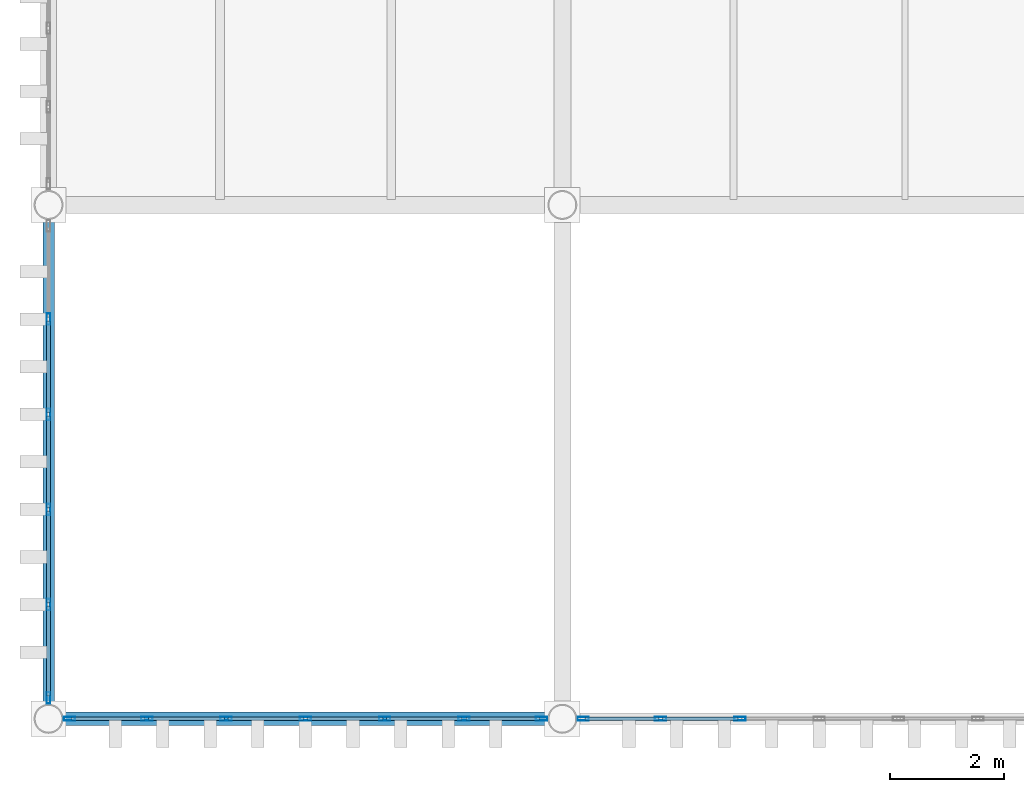
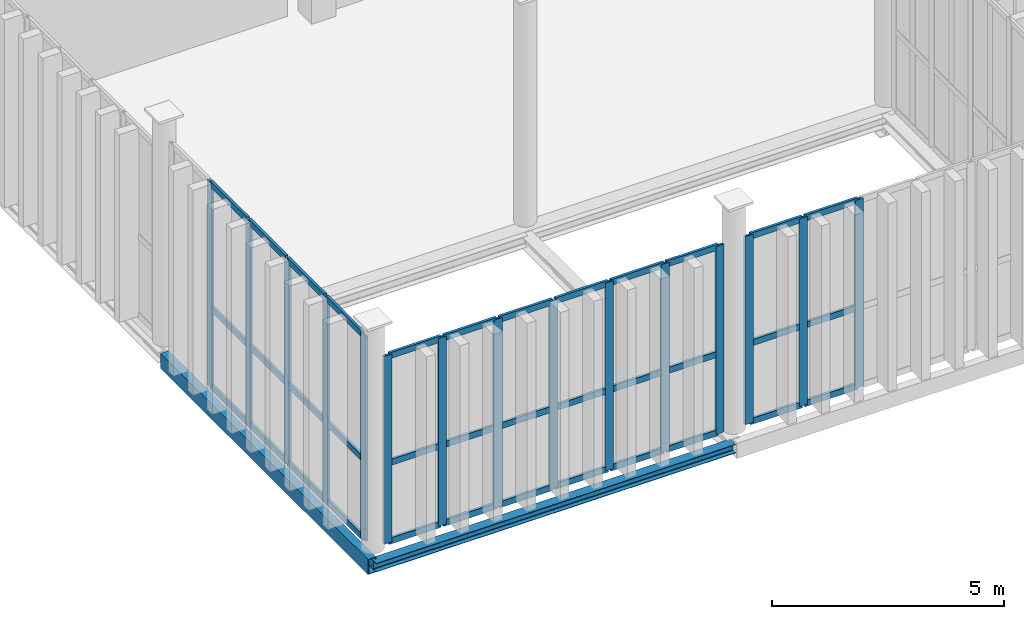
# One storey, part 26 of 211: 51 members, 2 beams, 3 elements without a shape of their own.
"""IFC4 building model written with IfcOpenShell, lengths in metres."""

from ifc_helpers import new_model, si_unit, direction, frame, origin, origin_2d, place, context, subcontext, project, spatial, hollow_rectangle, i_section, extrude, material, layer, layer_set, material_profile, profile_set, type_object, element, aggregate, save


model = new_model("IFC4")

# Units and contexts
model_context = context("Model", 3, precision=1e-05, world=origin(), true_north=direction((0.0, 1.0)))
body_context = subcontext(model_context, "Body", "Model", "MODEL_VIEW")
ifc_project = project(units=[si_unit("LENGTHUNIT", "METRE"), si_unit("AREAUNIT", "SQUARE_METRE"), si_unit("VOLUMEUNIT", "CUBIC_METRE"), si_unit("PLANEANGLEUNIT", "RADIAN"), si_unit("MASSUNIT", "GRAM", prefix="KILO")], contexts=[model_context])

# Site, building, storey
site_placement = place(None, origin())
site = spatial("IfcSite", under=ifc_project, at=site_placement, CompositionType="ELEMENT")
building_placement = place(site_placement, origin())
building = spatial("IfcBuilding", under=site, at=building_placement, Name="Barlavento Convention Centre", CompositionType="ELEMENT")
storey_placement = place(building_placement, frame((0.0, 0.0, 6.0)))
storey = spatial("IfcBuildingStorey", under=building, at=storey_placement, Name="L01", CompositionType="ELEMENT", Elevation=6.0)

# Curtain wall, members
ifc_material_1 = material(Name="Powder-coated aluminium and Low-E glass", Category="aluminium")
ifc_layer = layer(ifc_material_1, 0.18505859375)
ifc_layer_set = layer_set([ifc_layer], Name="ARC-CW-CONG-L01")
curtain_wall_type = type_object("IfcCurtainWallType", Name="ARC-CW-CONG-L01", PredefinedType="NOTDEFINED", material=ifc_layer_set)
curtain_wall_1_placement = place(storey_placement, origin())
curtain_wall_1 = element("IfcCurtainWall", 1, at=curtain_wall_1_placement, inside=storey, type_object=curtain_wall_type, Name="L01 unitised curtain wall CW01", PredefinedType="NOTDEFINED")
ifc_material_2 = material(Name="Powder-coated aluminium", Category="aluminium")
ifc_material_profile_1 = material_profile(ifc_material_2, hollow_rectangle(XDim=0.06494140625, YDim=0.199951171875, WallThickness=0.0048828125, at=origin_2d()), Name="AL-MULL 65x200x5")
ifc_profile_set_1 = profile_set([ifc_material_profile_1], Name="Powder-coated aluminium")
member_type_1 = type_object("IfcMemberType", Name="ARC-CWM-65X200", PredefinedType="MULLION", material=ifc_profile_set_1)
member_1_placement = place(storey_placement, frame((0.366455078125, 0.0, 0.0), z_axis=(0.0, 0.0, 1.0), x_axis=(0.0, 1.0, 0.0)))
member_1 = element("IfcMember", 2, at=member_1_placement, type_object=member_type_1, Name="CW01 mullion 1", PredefinedType="MULLION", context=body_context, shape_type="SweptSolid", body=[
    extrude(hollow_rectangle(XDim=0.06494140625, YDim=0.199951171875, WallThickness=0.0048828125, at=origin_2d()), origin(), (0.0, 0.0, 1.0), 4.949951171875),
])
member_2_placement = place(storey_placement, frame((1.72265625, 0.0, 0.0), z_axis=(0.0, 0.0, 1.0), x_axis=(0.0, 1.0, 0.0)))
member_2 = element("IfcMember", 3, at=member_2_placement, type_object=member_type_1, Name="CW01 mullion 2", PredefinedType="MULLION", context=body_context, shape_type="SweptSolid", body=[
    extrude(hollow_rectangle(XDim=0.06494140625, YDim=0.199951171875, WallThickness=0.0048828125, at=origin_2d()), origin(), (0.0, 0.0, 1.0), 4.949951171875),
])
member_3_placement = place(storey_placement, frame((3.111328125, 0.0, 0.0), z_axis=(0.0, 0.0, 1.0), x_axis=(0.0, 1.0, 0.0)))
member_3 = element("IfcMember", 4, at=member_3_placement, type_object=member_type_1, Name="CW01 mullion 3", PredefinedType="MULLION", context=body_context, shape_type="SweptSolid", body=[
    extrude(hollow_rectangle(XDim=0.06494140625, YDim=0.199951171875, WallThickness=0.0048828125, at=origin_2d()), origin(), (0.0, 0.0, 1.0), 4.949951171875),
])
member_4_placement = place(storey_placement, frame((4.5, 0.0, 0.0), z_axis=(0.0, 0.0, 1.0), x_axis=(0.0, 1.0, 0.0)))
member_4 = element("IfcMember", 5, at=member_4_placement, type_object=member_type_1, Name="CW01 mullion 4", PredefinedType="MULLION", context=body_context, shape_type="SweptSolid", body=[
    extrude(hollow_rectangle(XDim=0.06494140625, YDim=0.199951171875, WallThickness=0.0048828125, at=origin_2d()), origin(), (0.0, 0.0, 1.0), 4.949951171875),
])
member_5_placement = place(storey_placement, frame((5.888671875, 0.0, 0.0), z_axis=(0.0, 0.0, 1.0), x_axis=(0.0, 1.0, 0.0)))
member_5 = element("IfcMember", 6, at=member_5_placement, type_object=member_type_1, Name="CW01 mullion 5", PredefinedType="MULLION", context=body_context, shape_type="SweptSolid", body=[
    extrude(hollow_rectangle(XDim=0.06494140625, YDim=0.199951171875, WallThickness=0.0048828125, at=origin_2d()), origin(), (0.0, 0.0, 1.0), 4.949951171875),
])
member_6_placement = place(storey_placement, frame((7.27734375, 0.0, 0.0), z_axis=(0.0, 0.0, 1.0), x_axis=(0.0, 1.0, 0.0)))
member_6 = element("IfcMember", 7, at=member_6_placement, type_object=member_type_1, Name="CW01 mullion 6", PredefinedType="MULLION", context=body_context, shape_type="SweptSolid", body=[
    extrude(hollow_rectangle(XDim=0.06494140625, YDim=0.199951171875, WallThickness=0.0048828125, at=origin_2d()), origin(), (0.0, 0.0, 1.0), 4.949951171875),
])
member_7_placement = place(storey_placement, frame((8.633544921875, 0.0, 0.0), z_axis=(0.0, 0.0, 1.0), x_axis=(0.0, 1.0, 0.0)))
member_7 = element("IfcMember", 8, at=member_7_placement, type_object=member_type_1, Name="CW01 mullion 7", PredefinedType="MULLION", context=body_context, shape_type="SweptSolid", body=[
    extrude(hollow_rectangle(XDim=0.06494140625, YDim=0.199951171875, WallThickness=0.0048828125, at=origin_2d()), origin(), (0.0, 0.0, 1.0), 4.949951171875),
])

curtain_wall_2_placement = place(storey_placement, origin())
curtain_wall_2 = element("IfcCurtainWall", 9, at=curtain_wall_2_placement, inside=storey, type_object=curtain_wall_type, Name="L01 unitised curtain wall CW01", PredefinedType="NOTDEFINED")
member_8_placement = place(storey_placement, frame((9.366455078125, 0.0, 0.0), z_axis=(0.0, 0.0, 1.0), x_axis=(0.0, 1.0, 0.0)))
member_8 = element("IfcMember", 10, at=member_8_placement, type_object=member_type_1, Name="CW01 mullion 1", PredefinedType="MULLION", context=body_context, shape_type="SweptSolid", body=[
    extrude(hollow_rectangle(XDim=0.06494140625, YDim=0.199951171875, WallThickness=0.0048828125, at=origin_2d()), origin(), (0.0, 0.0, 1.0), 4.949951171875),
])
member_9_placement = place(storey_placement, frame((10.72265625, 0.0, 0.0), z_axis=(0.0, 0.0, 1.0), x_axis=(0.0, 1.0, 0.0)))
member_9 = element("IfcMember", 11, at=member_9_placement, type_object=member_type_1, Name="CW01 mullion 2", PredefinedType="MULLION", context=body_context, shape_type="SweptSolid", body=[
    extrude(hollow_rectangle(XDim=0.06494140625, YDim=0.199951171875, WallThickness=0.0048828125, at=origin_2d()), origin(), (0.0, 0.0, 1.0), 4.949951171875),
])
member_10_placement = place(storey_placement, frame((12.111328125, 0.0, 0.0), z_axis=(0.0, 0.0, 1.0), x_axis=(0.0, 1.0, 0.0)))
member_10 = element("IfcMember", 12, at=member_10_placement, type_object=member_type_1, Name="CW01 mullion 3", PredefinedType="MULLION", context=body_context, shape_type="SweptSolid", body=[
    extrude(hollow_rectangle(XDim=0.06494140625, YDim=0.199951171875, WallThickness=0.0048828125, at=origin_2d()), origin(), (0.0, 0.0, 1.0), 4.949951171875),
])

curtain_wall_3_placement = place(storey_placement, origin())
curtain_wall_3 = element("IfcCurtainWall", 13, at=curtain_wall_3_placement, inside=storey, type_object=curtain_wall_type, Name="L01 unitised curtain wall CW01", PredefinedType="NOTDEFINED")
member_11_placement = place(storey_placement, frame((0.0, 0.366455078125, 0.0), z_axis=(0.0, 0.0, 1.0), x_axis=(-1.0, 0.0, 0.0)))
member_11 = element("IfcMember", 14, at=member_11_placement, type_object=member_type_1, Name="CW01 mullion 1", PredefinedType="MULLION", context=body_context, shape_type="SweptSolid", body=[
    extrude(hollow_rectangle(XDim=0.06494140625, YDim=0.199951171875, WallThickness=0.0048828125, at=origin_2d()), origin(), (0.0, 0.0, 1.0), 5.39990234375),
])
member_12_placement = place(storey_placement, frame((0.0, 2.00048828125, 0.0), z_axis=(0.0, 0.0, 1.0), x_axis=(-1.0, 0.0, 0.0)))
member_12 = element("IfcMember", 15, at=member_12_placement, type_object=member_type_1, Name="CW01 mullion 2", PredefinedType="MULLION", context=body_context, shape_type="SweptSolid", body=[
    extrude(hollow_rectangle(XDim=0.06494140625, YDim=0.199951171875, WallThickness=0.0048828125, at=origin_2d()), origin(), (0.0, 0.0, 1.0), 5.39990234375),
])
member_13_placement = place(storey_placement, frame((0.0, 3.666748046875, 0.0), z_axis=(0.0, 0.0, 1.0), x_axis=(-1.0, 0.0, 0.0)))
member_13 = element("IfcMember", 16, at=member_13_placement, type_object=member_type_1, Name="CW01 mullion 3", PredefinedType="MULLION", context=body_context, shape_type="SweptSolid", body=[
    extrude(hollow_rectangle(XDim=0.06494140625, YDim=0.199951171875, WallThickness=0.0048828125, at=origin_2d()), origin(), (0.0, 0.0, 1.0), 5.39990234375),
])
member_14_placement = place(storey_placement, frame((0.0, 5.333251953125, 0.0), z_axis=(0.0, 0.0, 1.0), x_axis=(-1.0, 0.0, 0.0)))
member_14 = element("IfcMember", 17, at=member_14_placement, type_object=member_type_1, Name="CW01 mullion 4", PredefinedType="MULLION", context=body_context, shape_type="SweptSolid", body=[
    extrude(hollow_rectangle(XDim=0.06494140625, YDim=0.199951171875, WallThickness=0.0048828125, at=origin_2d()), origin(), (0.0, 0.0, 1.0), 5.39990234375),
])
member_15_placement = place(storey_placement, frame((0.0, 6.99951171875, 0.0), z_axis=(0.0, 0.0, 1.0), x_axis=(-1.0, 0.0, 0.0)))
member_15 = element("IfcMember", 18, at=member_15_placement, type_object=member_type_1, Name="CW01 mullion 5", PredefinedType="MULLION", context=body_context, shape_type="SweptSolid", body=[
    extrude(hollow_rectangle(XDim=0.06494140625, YDim=0.199951171875, WallThickness=0.0048828125, at=origin_2d()), origin(), (0.0, 0.0, 1.0), 5.39990234375),
])

# Member
ifc_material_profile_2 = material_profile(ifc_material_2, hollow_rectangle(XDim=0.06494140625, YDim=0.159912109375, WallThickness=0.0048828125, at=origin_2d()), Name="AL-TRAN 65x160x5")
ifc_profile_set_2 = profile_set([ifc_material_profile_2], Name="Powder-coated aluminium")
member_type_2 = type_object("IfcMemberType", Name="ARC-CWT-65X160", PredefinedType="USERDEFINED", material=ifc_profile_set_2)
member_16_placement = place(storey_placement, frame((0.39892578125, 0.0, 0.032470703125), z_axis=(1.0, 0.0, 0.0), x_axis=(0.0, 1.0, 0.0)))
member_16 = element("IfcMember", 19, at=member_16_placement, type_object=member_type_2, Name="CW01 transom 1.1", ObjectType="TRANSOM", PredefinedType="USERDEFINED", context=body_context, shape_type="SweptSolid", body=[
    extrude(hollow_rectangle(XDim=0.06494140625, YDim=0.159912109375, WallThickness=0.0048828125, at=origin_2d()), origin(), (0.0, 0.0, 1.0), 1.291259765625),
])

member_17_placement = place(storey_placement, frame((0.39892578125, 0.0, 2.10009765625), z_axis=(1.0, 0.0, 0.0), x_axis=(0.0, 1.0, 0.0)))
member_17 = element("IfcMember", 20, at=member_17_placement, type_object=member_type_2, Name="CW01 transom 1.2", ObjectType="TRANSOM", PredefinedType="USERDEFINED", context=body_context, shape_type="SweptSolid", body=[
    extrude(hollow_rectangle(XDim=0.06494140625, YDim=0.159912109375, WallThickness=0.0048828125, at=origin_2d()), origin(), (0.0, 0.0, 1.0), 1.291259765625),
])

member_18_placement = place(storey_placement, frame((0.39892578125, 0.0, 4.91748046875), z_axis=(1.0, 0.0, 0.0), x_axis=(0.0, 1.0, 0.0)))
member_18 = element("IfcMember", 21, at=member_18_placement, type_object=member_type_2, Name="CW01 transom 1.3", ObjectType="TRANSOM", PredefinedType="USERDEFINED", context=body_context, shape_type="SweptSolid", body=[
    extrude(hollow_rectangle(XDim=0.06494140625, YDim=0.159912109375, WallThickness=0.0048828125, at=origin_2d()), origin(), (0.0, 0.0, 1.0), 1.291259765625),
])

member_19_placement = place(storey_placement, frame((1.755126953125, 0.0, 0.032470703125), z_axis=(1.0, 0.0, 0.0), x_axis=(0.0, 1.0, 0.0)))
member_19 = element("IfcMember", 22, at=member_19_placement, type_object=member_type_2, Name="CW01 transom 2.1", ObjectType="TRANSOM", PredefinedType="USERDEFINED", context=body_context, shape_type="SweptSolid", body=[
    extrude(hollow_rectangle(XDim=0.06494140625, YDim=0.159912109375, WallThickness=0.0048828125, at=origin_2d()), origin(), (0.0, 0.0, 1.0), 1.32373046875),
])

member_20_placement = place(storey_placement, frame((1.755126953125, 0.0, 2.10009765625), z_axis=(1.0, 0.0, 0.0), x_axis=(0.0, 1.0, 0.0)))
member_20 = element("IfcMember", 23, at=member_20_placement, type_object=member_type_2, Name="CW01 transom 2.2", ObjectType="TRANSOM", PredefinedType="USERDEFINED", context=body_context, shape_type="SweptSolid", body=[
    extrude(hollow_rectangle(XDim=0.06494140625, YDim=0.159912109375, WallThickness=0.0048828125, at=origin_2d()), origin(), (0.0, 0.0, 1.0), 1.32373046875),
])

member_21_placement = place(storey_placement, frame((1.755126953125, 0.0, 4.91748046875), z_axis=(1.0, 0.0, 0.0), x_axis=(0.0, 1.0, 0.0)))
member_21 = element("IfcMember", 24, at=member_21_placement, type_object=member_type_2, Name="CW01 transom 2.3", ObjectType="TRANSOM", PredefinedType="USERDEFINED", context=body_context, shape_type="SweptSolid", body=[
    extrude(hollow_rectangle(XDim=0.06494140625, YDim=0.159912109375, WallThickness=0.0048828125, at=origin_2d()), origin(), (0.0, 0.0, 1.0), 1.32373046875),
])

member_22_placement = place(storey_placement, frame((3.143798828125, 0.0, 0.032470703125), z_axis=(1.0, 0.0, 0.0), x_axis=(0.0, 1.0, 0.0)))
member_22 = element("IfcMember", 25, at=member_22_placement, type_object=member_type_2, Name="CW01 transom 3.1", ObjectType="TRANSOM", PredefinedType="USERDEFINED", context=body_context, shape_type="SweptSolid", body=[
    extrude(hollow_rectangle(XDim=0.06494140625, YDim=0.159912109375, WallThickness=0.0048828125, at=origin_2d()), origin(), (0.0, 0.0, 1.0), 1.32373046875),
])

member_23_placement = place(storey_placement, frame((3.143798828125, 0.0, 2.10009765625), z_axis=(1.0, 0.0, 0.0), x_axis=(0.0, 1.0, 0.0)))
member_23 = element("IfcMember", 26, at=member_23_placement, type_object=member_type_2, Name="CW01 transom 3.2", ObjectType="TRANSOM", PredefinedType="USERDEFINED", context=body_context, shape_type="SweptSolid", body=[
    extrude(hollow_rectangle(XDim=0.06494140625, YDim=0.159912109375, WallThickness=0.0048828125, at=origin_2d()), origin(), (0.0, 0.0, 1.0), 1.32373046875),
])

member_24_placement = place(storey_placement, frame((3.143798828125, 0.0, 4.91748046875), z_axis=(1.0, 0.0, 0.0), x_axis=(0.0, 1.0, 0.0)))
member_24 = element("IfcMember", 27, at=member_24_placement, type_object=member_type_2, Name="CW01 transom 3.3", ObjectType="TRANSOM", PredefinedType="USERDEFINED", context=body_context, shape_type="SweptSolid", body=[
    extrude(hollow_rectangle(XDim=0.06494140625, YDim=0.159912109375, WallThickness=0.0048828125, at=origin_2d()), origin(), (0.0, 0.0, 1.0), 1.32373046875),
])

member_25_placement = place(storey_placement, frame((4.532470703125, 0.0, 0.032470703125), z_axis=(1.0, 0.0, 0.0), x_axis=(0.0, 1.0, 0.0)))
member_25 = element("IfcMember", 28, at=member_25_placement, type_object=member_type_2, Name="CW01 transom 4.1", ObjectType="TRANSOM", PredefinedType="USERDEFINED", context=body_context, shape_type="SweptSolid", body=[
    extrude(hollow_rectangle(XDim=0.06494140625, YDim=0.159912109375, WallThickness=0.0048828125, at=origin_2d()), origin(), (0.0, 0.0, 1.0), 1.32373046875),
])

member_26_placement = place(storey_placement, frame((4.532470703125, 0.0, 2.10009765625), z_axis=(1.0, 0.0, 0.0), x_axis=(0.0, 1.0, 0.0)))
member_26 = element("IfcMember", 29, at=member_26_placement, type_object=member_type_2, Name="CW01 transom 4.2", ObjectType="TRANSOM", PredefinedType="USERDEFINED", context=body_context, shape_type="SweptSolid", body=[
    extrude(hollow_rectangle(XDim=0.06494140625, YDim=0.159912109375, WallThickness=0.0048828125, at=origin_2d()), origin(), (0.0, 0.0, 1.0), 1.32373046875),
])

member_27_placement = place(storey_placement, frame((4.532470703125, 0.0, 4.91748046875), z_axis=(1.0, 0.0, 0.0), x_axis=(0.0, 1.0, 0.0)))
member_27 = element("IfcMember", 30, at=member_27_placement, type_object=member_type_2, Name="CW01 transom 4.3", ObjectType="TRANSOM", PredefinedType="USERDEFINED", context=body_context, shape_type="SweptSolid", body=[
    extrude(hollow_rectangle(XDim=0.06494140625, YDim=0.159912109375, WallThickness=0.0048828125, at=origin_2d()), origin(), (0.0, 0.0, 1.0), 1.32373046875),
])

member_28_placement = place(storey_placement, frame((5.921142578125, 0.0, 0.032470703125), z_axis=(1.0, 0.0, 0.0), x_axis=(0.0, 1.0, 0.0)))
member_28 = element("IfcMember", 31, at=member_28_placement, type_object=member_type_2, Name="CW01 transom 5.1", ObjectType="TRANSOM", PredefinedType="USERDEFINED", context=body_context, shape_type="SweptSolid", body=[
    extrude(hollow_rectangle(XDim=0.06494140625, YDim=0.159912109375, WallThickness=0.0048828125, at=origin_2d()), origin(), (0.0, 0.0, 1.0), 1.32373046875),
])

member_29_placement = place(storey_placement, frame((5.921142578125, 0.0, 2.10009765625), z_axis=(1.0, 0.0, 0.0), x_axis=(0.0, 1.0, 0.0)))
member_29 = element("IfcMember", 32, at=member_29_placement, type_object=member_type_2, Name="CW01 transom 5.2", ObjectType="TRANSOM", PredefinedType="USERDEFINED", context=body_context, shape_type="SweptSolid", body=[
    extrude(hollow_rectangle(XDim=0.06494140625, YDim=0.159912109375, WallThickness=0.0048828125, at=origin_2d()), origin(), (0.0, 0.0, 1.0), 1.32373046875),
])

member_30_placement = place(storey_placement, frame((5.921142578125, 0.0, 4.91748046875), z_axis=(1.0, 0.0, 0.0), x_axis=(0.0, 1.0, 0.0)))
member_30 = element("IfcMember", 33, at=member_30_placement, type_object=member_type_2, Name="CW01 transom 5.3", ObjectType="TRANSOM", PredefinedType="USERDEFINED", context=body_context, shape_type="SweptSolid", body=[
    extrude(hollow_rectangle(XDim=0.06494140625, YDim=0.159912109375, WallThickness=0.0048828125, at=origin_2d()), origin(), (0.0, 0.0, 1.0), 1.32373046875),
])

member_31_placement = place(storey_placement, frame((7.309814453125, 0.0, 0.032470703125), z_axis=(1.0, 0.0, 0.0), x_axis=(0.0, 1.0, 0.0)))
member_31 = element("IfcMember", 34, at=member_31_placement, type_object=member_type_2, Name="CW01 transom 6.1", ObjectType="TRANSOM", PredefinedType="USERDEFINED", context=body_context, shape_type="SweptSolid", body=[
    extrude(hollow_rectangle(XDim=0.06494140625, YDim=0.159912109375, WallThickness=0.0048828125, at=origin_2d()), origin(), (0.0, 0.0, 1.0), 1.291259765625),
])

member_32_placement = place(storey_placement, frame((7.309814453125, 0.0, 2.10009765625), z_axis=(1.0, 0.0, 0.0), x_axis=(0.0, 1.0, 0.0)))
member_32 = element("IfcMember", 35, at=member_32_placement, type_object=member_type_2, Name="CW01 transom 6.2", ObjectType="TRANSOM", PredefinedType="USERDEFINED", context=body_context, shape_type="SweptSolid", body=[
    extrude(hollow_rectangle(XDim=0.06494140625, YDim=0.159912109375, WallThickness=0.0048828125, at=origin_2d()), origin(), (0.0, 0.0, 1.0), 1.291259765625),
])

member_33_placement = place(storey_placement, frame((7.309814453125, 0.0, 4.91748046875), z_axis=(1.0, 0.0, 0.0), x_axis=(0.0, 1.0, 0.0)))
member_33 = element("IfcMember", 36, at=member_33_placement, type_object=member_type_2, Name="CW01 transom 6.3", ObjectType="TRANSOM", PredefinedType="USERDEFINED", context=body_context, shape_type="SweptSolid", body=[
    extrude(hollow_rectangle(XDim=0.06494140625, YDim=0.159912109375, WallThickness=0.0048828125, at=origin_2d()), origin(), (0.0, 0.0, 1.0), 1.291259765625),
])

aggregate(curtain_wall_1, [member_1, member_2, member_3, member_4, member_5, member_6, member_7, member_16, member_17, member_18, member_19, member_20, member_21, member_22, member_23, member_24, member_25, member_26, member_27, member_28, member_29, member_30, member_31, member_32, member_33])

member_34_placement = place(storey_placement, frame((9.39892578125, 0.0, 0.032470703125), z_axis=(1.0, 0.0, 0.0), x_axis=(0.0, 1.0, 0.0)))
member_34 = element("IfcMember", 37, at=member_34_placement, type_object=member_type_2, Name="CW01 transom 1.1", ObjectType="TRANSOM", PredefinedType="USERDEFINED", context=body_context, shape_type="SweptSolid", body=[
    extrude(hollow_rectangle(XDim=0.06494140625, YDim=0.159912109375, WallThickness=0.0048828125, at=origin_2d()), origin(), (0.0, 0.0, 1.0), 1.291259765625),
])

member_35_placement = place(storey_placement, frame((9.39892578125, 0.0, 2.10009765625), z_axis=(1.0, 0.0, 0.0), x_axis=(0.0, 1.0, 0.0)))
member_35 = element("IfcMember", 38, at=member_35_placement, type_object=member_type_2, Name="CW01 transom 1.2", ObjectType="TRANSOM", PredefinedType="USERDEFINED", context=body_context, shape_type="SweptSolid", body=[
    extrude(hollow_rectangle(XDim=0.06494140625, YDim=0.159912109375, WallThickness=0.0048828125, at=origin_2d()), origin(), (0.0, 0.0, 1.0), 1.291259765625),
])

member_36_placement = place(storey_placement, frame((9.39892578125, 0.0, 4.91748046875), z_axis=(1.0, 0.0, 0.0), x_axis=(0.0, 1.0, 0.0)))
member_36 = element("IfcMember", 39, at=member_36_placement, type_object=member_type_2, Name="CW01 transom 1.3", ObjectType="TRANSOM", PredefinedType="USERDEFINED", context=body_context, shape_type="SweptSolid", body=[
    extrude(hollow_rectangle(XDim=0.06494140625, YDim=0.159912109375, WallThickness=0.0048828125, at=origin_2d()), origin(), (0.0, 0.0, 1.0), 1.291259765625),
])

member_37_placement = place(storey_placement, frame((10.755126953125, 0.0, 0.032470703125), z_axis=(1.0, 0.0, 0.0), x_axis=(0.0, 1.0, 0.0)))
member_37 = element("IfcMember", 40, at=member_37_placement, type_object=member_type_2, Name="CW01 transom 2.1", ObjectType="TRANSOM", PredefinedType="USERDEFINED", context=body_context, shape_type="SweptSolid", body=[
    extrude(hollow_rectangle(XDim=0.06494140625, YDim=0.159912109375, WallThickness=0.0048828125, at=origin_2d()), origin(), (0.0, 0.0, 1.0), 1.32373046875),
])

member_38_placement = place(storey_placement, frame((10.755126953125, 0.0, 2.10009765625), z_axis=(1.0, 0.0, 0.0), x_axis=(0.0, 1.0, 0.0)))
member_38 = element("IfcMember", 41, at=member_38_placement, type_object=member_type_2, Name="CW01 transom 2.2", ObjectType="TRANSOM", PredefinedType="USERDEFINED", context=body_context, shape_type="SweptSolid", body=[
    extrude(hollow_rectangle(XDim=0.06494140625, YDim=0.159912109375, WallThickness=0.0048828125, at=origin_2d()), origin(), (0.0, 0.0, 1.0), 1.32373046875),
])

member_39_placement = place(storey_placement, frame((10.755126953125, 0.0, 4.91748046875), z_axis=(1.0, 0.0, 0.0), x_axis=(0.0, 1.0, 0.0)))
member_39 = element("IfcMember", 42, at=member_39_placement, type_object=member_type_2, Name="CW01 transom 2.3", ObjectType="TRANSOM", PredefinedType="USERDEFINED", context=body_context, shape_type="SweptSolid", body=[
    extrude(hollow_rectangle(XDim=0.06494140625, YDim=0.159912109375, WallThickness=0.0048828125, at=origin_2d()), origin(), (0.0, 0.0, 1.0), 1.32373046875),
])

aggregate(curtain_wall_2, [member_8, member_9, member_10, member_34, member_35, member_36, member_37, member_38, member_39])

member_40_placement = place(storey_placement, frame((0.0, 0.39892578125, 0.032470703125), z_axis=(0.0, 1.0, 0.0), x_axis=(-1.0, 0.0, 0.0)))
member_40 = element("IfcMember", 43, at=member_40_placement, type_object=member_type_2, Name="CW01 transom 1.1", ObjectType="TRANSOM", PredefinedType="USERDEFINED", context=body_context, shape_type="SweptSolid", body=[
    extrude(hollow_rectangle(XDim=0.06494140625, YDim=0.159912109375, WallThickness=0.0048828125, at=origin_2d()), origin(), (0.0, 0.0, 1.0), 1.569091796875),
])

member_41_placement = place(storey_placement, frame((0.0, 0.39892578125, 2.10009765625), z_axis=(0.0, 1.0, 0.0), x_axis=(-1.0, 0.0, 0.0)))
member_41 = element("IfcMember", 44, at=member_41_placement, type_object=member_type_2, Name="CW01 transom 1.2", ObjectType="TRANSOM", PredefinedType="USERDEFINED", context=body_context, shape_type="SweptSolid", body=[
    extrude(hollow_rectangle(XDim=0.06494140625, YDim=0.159912109375, WallThickness=0.0048828125, at=origin_2d()), origin(), (0.0, 0.0, 1.0), 1.569091796875),
])

member_42_placement = place(storey_placement, frame((0.0, 0.39892578125, 5.367431640625), z_axis=(0.0, 1.0, 0.0), x_axis=(-1.0, 0.0, 0.0)))
member_42 = element("IfcMember", 45, at=member_42_placement, type_object=member_type_2, Name="CW01 transom 1.3", ObjectType="TRANSOM", PredefinedType="USERDEFINED", context=body_context, shape_type="SweptSolid", body=[
    extrude(hollow_rectangle(XDim=0.06494140625, YDim=0.159912109375, WallThickness=0.0048828125, at=origin_2d()), origin(), (0.0, 0.0, 1.0), 1.569091796875),
])

member_43_placement = place(storey_placement, frame((0.0, 2.032958984375, 0.032470703125), z_axis=(0.0, 1.0, 0.0), x_axis=(-1.0, 0.0, 0.0)))
member_43 = element("IfcMember", 46, at=member_43_placement, type_object=member_type_2, Name="CW01 transom 2.1", ObjectType="TRANSOM", PredefinedType="USERDEFINED", context=body_context, shape_type="SweptSolid", body=[
    extrude(hollow_rectangle(XDim=0.06494140625, YDim=0.159912109375, WallThickness=0.0048828125, at=origin_2d()), origin(), (0.0, 0.0, 1.0), 1.601318359375),
])

member_44_placement = place(storey_placement, frame((0.0, 2.032958984375, 2.10009765625), z_axis=(0.0, 1.0, 0.0), x_axis=(-1.0, 0.0, 0.0)))
member_44 = element("IfcMember", 47, at=member_44_placement, type_object=member_type_2, Name="CW01 transom 2.2", ObjectType="TRANSOM", PredefinedType="USERDEFINED", context=body_context, shape_type="SweptSolid", body=[
    extrude(hollow_rectangle(XDim=0.06494140625, YDim=0.159912109375, WallThickness=0.0048828125, at=origin_2d()), origin(), (0.0, 0.0, 1.0), 1.601318359375),
])

member_45_placement = place(storey_placement, frame((0.0, 2.032958984375, 5.367431640625), z_axis=(0.0, 1.0, 0.0), x_axis=(-1.0, 0.0, 0.0)))
member_45 = element("IfcMember", 48, at=member_45_placement, type_object=member_type_2, Name="CW01 transom 2.3", ObjectType="TRANSOM", PredefinedType="USERDEFINED", context=body_context, shape_type="SweptSolid", body=[
    extrude(hollow_rectangle(XDim=0.06494140625, YDim=0.159912109375, WallThickness=0.0048828125, at=origin_2d()), origin(), (0.0, 0.0, 1.0), 1.601318359375),
])

member_46_placement = place(storey_placement, frame((0.0, 3.69921875, 0.032470703125), z_axis=(0.0, 1.0, 0.0), x_axis=(-1.0, 0.0, 0.0)))
member_46 = element("IfcMember", 49, at=member_46_placement, type_object=member_type_2, Name="CW01 transom 3.1", ObjectType="TRANSOM", PredefinedType="USERDEFINED", context=body_context, shape_type="SweptSolid", body=[
    extrude(hollow_rectangle(XDim=0.06494140625, YDim=0.159912109375, WallThickness=0.0048828125, at=origin_2d()), origin(), (0.0, 0.0, 1.0), 1.6015625),
])

member_47_placement = place(storey_placement, frame((0.0, 3.69921875, 2.10009765625), z_axis=(0.0, 1.0, 0.0), x_axis=(-1.0, 0.0, 0.0)))
member_47 = element("IfcMember", 50, at=member_47_placement, type_object=member_type_2, Name="CW01 transom 3.2", ObjectType="TRANSOM", PredefinedType="USERDEFINED", context=body_context, shape_type="SweptSolid", body=[
    extrude(hollow_rectangle(XDim=0.06494140625, YDim=0.159912109375, WallThickness=0.0048828125, at=origin_2d()), origin(), (0.0, 0.0, 1.0), 1.6015625),
])

member_48_placement = place(storey_placement, frame((0.0, 3.69921875, 5.367431640625), z_axis=(0.0, 1.0, 0.0), x_axis=(-1.0, 0.0, 0.0)))
member_48 = element("IfcMember", 51, at=member_48_placement, type_object=member_type_2, Name="CW01 transom 3.3", ObjectType="TRANSOM", PredefinedType="USERDEFINED", context=body_context, shape_type="SweptSolid", body=[
    extrude(hollow_rectangle(XDim=0.06494140625, YDim=0.159912109375, WallThickness=0.0048828125, at=origin_2d()), origin(), (0.0, 0.0, 1.0), 1.6015625),
])

member_49_placement = place(storey_placement, frame((0.0, 5.36572265625, 0.032470703125), z_axis=(0.0, 1.0, 0.0), x_axis=(-1.0, 0.0, 0.0)))
member_49 = element("IfcMember", 52, at=member_49_placement, type_object=member_type_2, Name="CW01 transom 4.1", ObjectType="TRANSOM", PredefinedType="USERDEFINED", context=body_context, shape_type="SweptSolid", body=[
    extrude(hollow_rectangle(XDim=0.06494140625, YDim=0.159912109375, WallThickness=0.0048828125, at=origin_2d()), origin(), (0.0, 0.0, 1.0), 1.601318359375),
])

member_50_placement = place(storey_placement, frame((0.0, 5.36572265625, 2.10009765625), z_axis=(0.0, 1.0, 0.0), x_axis=(-1.0, 0.0, 0.0)))
member_50 = element("IfcMember", 53, at=member_50_placement, type_object=member_type_2, Name="CW01 transom 4.2", ObjectType="TRANSOM", PredefinedType="USERDEFINED", context=body_context, shape_type="SweptSolid", body=[
    extrude(hollow_rectangle(XDim=0.06494140625, YDim=0.159912109375, WallThickness=0.0048828125, at=origin_2d()), origin(), (0.0, 0.0, 1.0), 1.601318359375),
])

member_51_placement = place(storey_placement, frame((0.0, 5.36572265625, 5.367431640625), z_axis=(0.0, 1.0, 0.0), x_axis=(-1.0, 0.0, 0.0)))
member_51 = element("IfcMember", 54, at=member_51_placement, type_object=member_type_2, Name="CW01 transom 4.3", ObjectType="TRANSOM", PredefinedType="USERDEFINED", context=body_context, shape_type="SweptSolid", body=[
    extrude(hollow_rectangle(XDim=0.06494140625, YDim=0.159912109375, WallThickness=0.0048828125, at=origin_2d()), origin(), (0.0, 0.0, 1.0), 1.601318359375),
])

aggregate(curtain_wall_3, [member_11, member_12, member_13, member_14, member_15, member_40, member_41, member_42, member_43, member_44, member_45, member_46, member_47, member_48, member_49, member_50, member_51])

# Beams
ifc_material_3 = material(Name="Steel S355", Category="steel")
ifc_material_profile_3 = material_profile(ifc_material_3, i_section(OverallWidth=0.239990234375, OverallDepth=0.22998046875, WebThickness=0.007568359375, FlangeThickness=0.011962890625, FilletRadius=0.02099609375, at=origin_2d()), Name="HEA 240")
ifc_profile_set_3 = profile_set([ifc_material_profile_3], Name="Steel S355")
beam_type_1 = type_object("IfcBeamType", Name="STR-BM-SPN-HEA240", PredefinedType="SPANDREL", material=ifc_profile_set_3)
beam_1_placement = place(storey_placement, frame((0.02001953125, 0.0, -0.47509765625), z_axis=(1.0, 0.0, 0.0), x_axis=(0.0, 1.0, 0.0)))
element("IfcBeam", 55, at=beam_1_placement, inside=storey, type_object=beam_type_1, Name="L01 primary girder SP05", PredefinedType="SPANDREL", context=body_context, shape_type="SweptSolid", body=[
    extrude(i_section(OverallWidth=0.239990234375, OverallDepth=0.22998046875, WebThickness=0.007568359375, FlangeThickness=0.011962890625, FilletRadius=0.02099609375, at=origin_2d()), origin(), (0.0, 0.0, 1.0), 8.9599609375),
])
ifc_material_profile_4 = material_profile(ifc_material_3, hollow_rectangle(XDim=0.199951171875, YDim=0.39990234375, WallThickness=0.01611328125, at=origin_2d()), Name="RHS 400x200x16.0")
ifc_profile_set_4 = profile_set([ifc_material_profile_4], Name="Steel S355")
beam_type_2 = type_object("IfcBeamType", Name="STR-BM-SPN-RHS400", PredefinedType="SPANDREL", material=ifc_profile_set_4)
beam_2_placement = place(storey_placement, frame((0.0, 0.02001953125, -0.5), z_axis=(0.0, 1.0, 0.0), x_axis=(-1.0, 0.0, 0.0)))
element("IfcBeam", 56, at=beam_2_placement, inside=storey, type_object=beam_type_2, Name="L01 grid girder SP06", PredefinedType="SPANDREL", context=body_context, shape_type="SweptSolid", body=[
    extrude(hollow_rectangle(XDim=0.199951171875, YDim=0.39990234375, WallThickness=0.01611328125, at=origin_2d()), origin(), (0.0, 0.0, 1.0), 8.9599609375),
])

save(model, "model.ifc")
